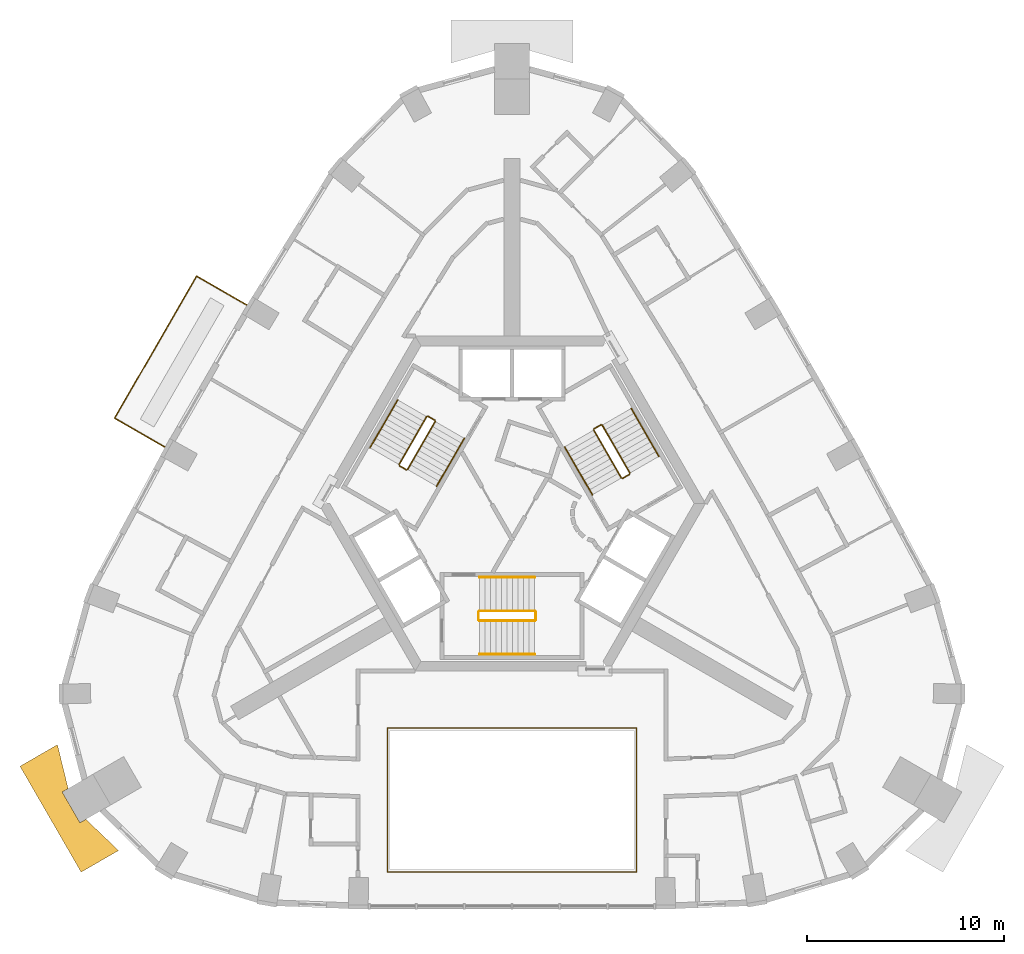
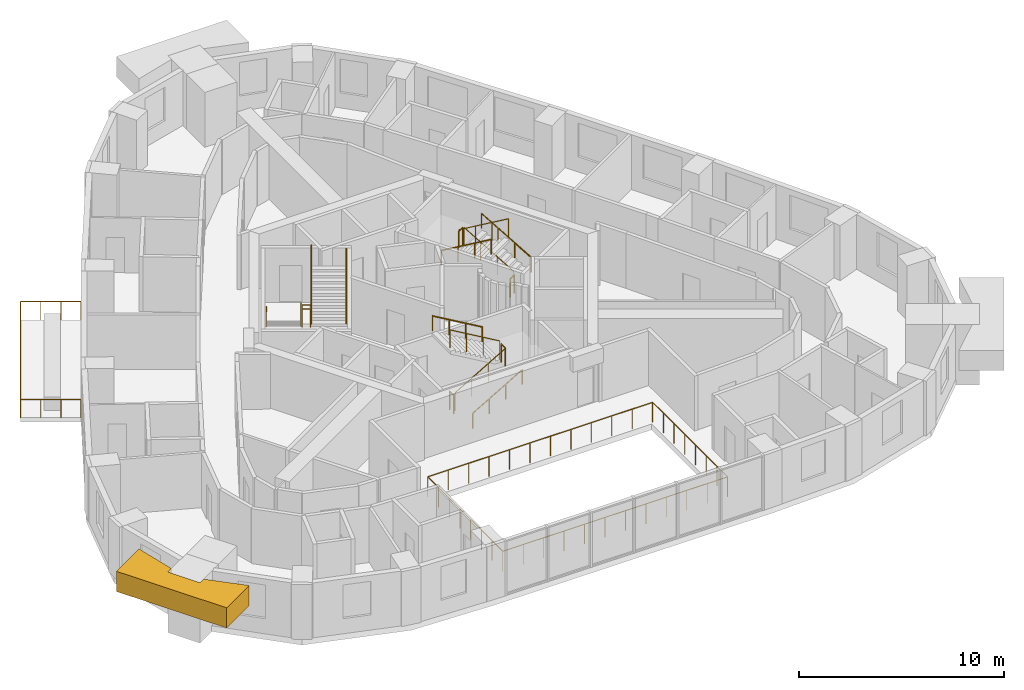
# One storey, part 10 of 11: 20 railings, 1 covering.
"""IFC4 building model written with IfcOpenShell, lengths in metres."""

from ifc_helpers import new_model, si_unit, direction, frame, origin, origin_2d, place, context, subcontext, project, spatial, polyline, circle, outline, extrude, material, type_object, element, save


model = new_model("IFC4")

# Units and contexts
model_context = context("Model", 3, precision=1e-05, world=origin(), true_north=direction((0.0, 1.0)))
body_context = subcontext(model_context, "Body", "Model", "MODEL_VIEW")
ifc_project = project(units=[si_unit("LENGTHUNIT", "METRE"), si_unit("AREAUNIT", "SQUARE_METRE"), si_unit("VOLUMEUNIT", "CUBIC_METRE"), si_unit("PLANEANGLEUNIT", "RADIAN"), si_unit("MASSUNIT", "GRAM", prefix="KILO")], contexts=[model_context])

# Site, building, storey
site_placement = place(None, origin())
site = spatial("IfcSite", under=ifc_project, at=site_placement, CompositionType="ELEMENT")
building_placement = place(site_placement, origin())
building = spatial("IfcBuilding", under=site, at=building_placement, Name="Entoto Arch Interchange Tower", CompositionType="ELEMENT")
storey_placement = place(building_placement, frame((0.0, 0.0, 304.39990234375)))
storey = spatial("IfcBuildingStorey", under=building, at=storey_placement, Name="L71", CompositionType="ELEMENT", Elevation=304.39990234375)

# Railings
ifc_material_1 = material(Name="Stainless steel 1.4301", Category="steel")
railing_type_1 = type_object("IfcRailingType", Name="ATRIUM GUARD 1200 STEEL AND GLASS", PredefinedType="GUARDRAIL", material=ifc_material_1)
railing_1_placement = place(storey_placement, frame((6.320068359375, -16.18408203125, 0.0)))
element("IfcRailing", 1, at=railing_1_placement, inside=storey, type_object=railing_type_1, Name="Atrium guard L71", PredefinedType="GUARDRAIL", context=body_context, shape_type="SweptSolid", body=[
    extrude(circle(Radius=0.02392578125, at=origin_2d()), frame((0.0, 0.0, 1.17578125), z_axis=(-1.0, 0.0, 0.0), x_axis=(0.0, -1.0, 0.0)), (0.0, 0.0, 1.0), 12.64013671875),
    extrude(circle(Radius=0.02392578125, at=origin_2d()), frame((-12.64013671875, 0.0, 1.17578125), z_axis=(0.0, 1.0, 0.0), x_axis=(-1.0, 0.0, 0.0)), (0.0, 0.0, 1.0), 7.30419921875),
    extrude(circle(Radius=0.02392578125, at=origin_2d()), frame((-12.64013671875, 7.30419921875, 1.17578125), z_axis=(1.0, 0.0, 0.0), x_axis=(0.0, 1.0, 0.0)), (0.0, 0.0, 1.0), 12.64013671875),
    extrude(circle(Radius=0.02392578125, at=origin_2d()), frame((0.0, 7.30419921875, 1.17578125), z_axis=(0.0, -1.0, 0.0), x_axis=(1.0, 0.0, 0.0)), (0.0, 0.0, 1.0), 7.30419921875),
    extrude(circle(Radius=0.02099609375, at=origin_2d()), origin(), (0.0, 0.0, 1.0), 1.15185546875),
    extrude(circle(Radius=0.02099609375, at=origin_2d()), frame((-1.149169921875, 0.0, 0.0)), (0.0, 0.0, 1.0), 1.15185546875),
    extrude(circle(Radius=0.02099609375, at=origin_2d()), frame((-2.298095703125, 0.0, 0.0)), (0.0, 0.0, 1.0), 1.15185546875),
    extrude(circle(Radius=0.02099609375, at=origin_2d()), frame((-3.447265625, 0.0, 0.0)), (0.0, 0.0, 1.0), 1.15185546875),
    extrude(circle(Radius=0.02099609375, at=origin_2d()), frame((-4.596435546875, 0.0, 0.0)), (0.0, 0.0, 1.0), 1.15185546875),
    extrude(circle(Radius=0.02099609375, at=origin_2d()), frame((-5.74560546875, 0.0, 0.0)), (0.0, 0.0, 1.0), 1.15185546875),
    extrude(circle(Radius=0.02099609375, at=origin_2d()), frame((-6.89453125, 0.0, 0.0)), (0.0, 0.0, 1.0), 1.15185546875),
    extrude(circle(Radius=0.02099609375, at=origin_2d()), frame((-8.043701171875, 0.0, 0.0)), (0.0, 0.0, 1.0), 1.15185546875),
    extrude(circle(Radius=0.02099609375, at=origin_2d()), frame((-9.19287109375, 0.0, 0.0)), (0.0, 0.0, 1.0), 1.15185546875),
    extrude(circle(Radius=0.02099609375, at=origin_2d()), frame((-10.342041015625, 0.0, 0.0)), (0.0, 0.0, 1.0), 1.15185546875),
    extrude(circle(Radius=0.02099609375, at=origin_2d()), frame((-11.490966796875, 0.0, 0.0)), (0.0, 0.0, 1.0), 1.15185546875),
    extrude(circle(Radius=0.02099609375, at=origin_2d()), frame((-12.64013671875, 0.0, 0.0)), (0.0, 0.0, 1.0), 1.15185546875),
    extrude(circle(Radius=0.02099609375, at=origin_2d()), frame((-12.64013671875, 1.04345703125, 0.0)), (0.0, 0.0, 1.0), 1.15185546875),
    extrude(circle(Radius=0.02099609375, at=origin_2d()), frame((-12.64013671875, 2.0869140625, 0.0)), (0.0, 0.0, 1.0), 1.15185546875),
    extrude(circle(Radius=0.02099609375, at=origin_2d()), frame((-12.64013671875, 3.13037109375, 0.0)), (0.0, 0.0, 1.0), 1.15185546875),
    extrude(circle(Radius=0.02099609375, at=origin_2d()), frame((-12.64013671875, 4.173828125, 0.0)), (0.0, 0.0, 1.0), 1.15185546875),
    extrude(circle(Radius=0.02099609375, at=origin_2d()), frame((-12.64013671875, 5.21728515625, 0.0)), (0.0, 0.0, 1.0), 1.15185546875),
    extrude(circle(Radius=0.02099609375, at=origin_2d()), frame((-12.64013671875, 6.2607421875, 0.0)), (0.0, 0.0, 1.0), 1.15185546875),
    extrude(circle(Radius=0.02099609375, at=origin_2d()), frame((-12.64013671875, 7.30419921875, 0.0)), (0.0, 0.0, 1.0), 1.15185546875),
    extrude(circle(Radius=0.02099609375, at=origin_2d()), frame((-11.490966796875, 7.30419921875, 0.0)), (0.0, 0.0, 1.0), 1.15185546875),
    extrude(circle(Radius=0.02099609375, at=origin_2d()), frame((-10.342041015625, 7.30419921875, 0.0)), (0.0, 0.0, 1.0), 1.15185546875),
    extrude(circle(Radius=0.02099609375, at=origin_2d()), frame((-9.19287109375, 7.30419921875, 0.0)), (0.0, 0.0, 1.0), 1.15185546875),
    extrude(circle(Radius=0.02099609375, at=origin_2d()), frame((-8.043701171875, 7.30419921875, 0.0)), (0.0, 0.0, 1.0), 1.15185546875),
    extrude(circle(Radius=0.02099609375, at=origin_2d()), frame((-6.89453125, 7.30419921875, 0.0)), (0.0, 0.0, 1.0), 1.15185546875),
    extrude(circle(Radius=0.02099609375, at=origin_2d()), frame((-5.74560546875, 7.30419921875, 0.0)), (0.0, 0.0, 1.0), 1.15185546875),
    extrude(circle(Radius=0.02099609375, at=origin_2d()), frame((-4.596435546875, 7.30419921875, 0.0)), (0.0, 0.0, 1.0), 1.15185546875),
    extrude(circle(Radius=0.02099609375, at=origin_2d()), frame((-3.447265625, 7.30419921875, 0.0)), (0.0, 0.0, 1.0), 1.15185546875),
    extrude(circle(Radius=0.02099609375, at=origin_2d()), frame((-2.298095703125, 7.30419921875, 0.0)), (0.0, 0.0, 1.0), 1.15185546875),
    extrude(circle(Radius=0.02099609375, at=origin_2d()), frame((-1.149169921875, 7.30419921875, 0.0)), (0.0, 0.0, 1.0), 1.15185546875),
    extrude(circle(Radius=0.02099609375, at=origin_2d()), frame((0.0, 7.30419921875, 0.0)), (0.0, 0.0, 1.0), 1.15185546875),
    extrude(circle(Radius=0.02099609375, at=origin_2d()), frame((0.0, 6.2607421875, 0.0)), (0.0, 0.0, 1.0), 1.15185546875),
    extrude(circle(Radius=0.02099609375, at=origin_2d()), frame((0.0, 5.21728515625, 0.0)), (0.0, 0.0, 1.0), 1.15185546875),
    extrude(circle(Radius=0.02099609375, at=origin_2d()), frame((0.0, 4.173828125, 0.0)), (0.0, 0.0, 1.0), 1.15185546875),
    extrude(circle(Radius=0.02099609375, at=origin_2d()), frame((0.0, 3.13037109375, 0.0)), (0.0, 0.0, 1.0), 1.15185546875),
    extrude(circle(Radius=0.02099609375, at=origin_2d()), frame((0.0, 2.0869140625, 0.0)), (0.0, 0.0, 1.0), 1.15185546875),
    extrude(circle(Radius=0.02099609375, at=origin_2d()), frame((0.0, 1.04345703125, 0.0)), (0.0, 0.0, 1.0), 1.15185546875),
])
railing_type_2 = type_object("IfcRailingType", Name="GUARD 1100 STEEL AND GLASS", PredefinedType="GUARDRAIL", material=ifc_material_1)
railing_2_placement = place(storey_placement, frame((-13.43798828125, 12.56005859375, 0.0)))
element("IfcRailing", 2, at=railing_2_placement, inside=storey, type_object=railing_type_2, Name="Balcony guard NW-02 L71", PredefinedType="GUARDRAIL", context=body_context, shape_type="SweptSolid", body=[
    extrude(circle(Radius=0.02392578125, at=origin_2d()), frame((0.0, 0.0, 1.076171875), z_axis=(-0.866060182126, 0.499939757307, 0.0), x_axis=(-0.499939757307, -0.866060182126, 0.0)), (0.0, 0.0, 1.0), 2.949951171875),
    extrude(circle(Radius=0.02392578125, at=origin_2d()), frame((-2.554931640625, 1.474853515625, 1.076171875), z_axis=(-0.499994372282, -0.866028652924, 0.0), x_axis=(0.866028652924, -0.499994372282, 0.0)), (0.0, 0.0, 1.0), 8.31591796875),
    extrude(circle(Radius=0.02392578125, at=origin_2d()), frame((-6.712890625, -5.72705078125, 1.076171875), z_axis=(0.866024349092, -0.500001826776, 0.0), x_axis=(0.500001826776, 0.866024349092, 0.0)), (0.0, 0.0, 1.0), 2.9501953125),
    extrude(circle(Radius=0.02099609375, at=origin_2d()), origin(), (0.0, 0.0, 1.0), 1.052001953125),
    extrude(circle(Radius=0.02099609375, at=origin_2d()), frame((-0.8515625, 0.49169921875, 0.0)), (0.0, 0.0, 1.0), 1.052001953125),
    extrude(circle(Radius=0.02099609375, at=origin_2d()), frame((-1.703369140625, 0.983154296875, 0.0)), (0.0, 0.0, 1.0), 1.052001953125),
    extrude(circle(Radius=0.02099609375, at=origin_2d()), frame((-2.554931640625, 1.474853515625, 0.0)), (0.0, 0.0, 1.0), 1.052001953125),
    extrude(circle(Radius=0.02099609375, at=origin_2d()), frame((-3.14892578125, 0.446044921875, 0.0)), (0.0, 0.0, 1.0), 1.052001953125),
    extrude(circle(Radius=0.02099609375, at=origin_2d()), frame((-3.742919921875, -0.582763671875, 0.0)), (0.0, 0.0, 1.0), 1.052001953125),
    extrude(circle(Radius=0.02099609375, at=origin_2d()), frame((-4.3369140625, -1.611572265625, 0.0)), (0.0, 0.0, 1.0), 1.052001953125),
    extrude(circle(Radius=0.02099609375, at=origin_2d()), frame((-4.930908203125, -2.640625, 0.0)), (0.0, 0.0, 1.0), 1.052001953125),
    extrude(circle(Radius=0.02099609375, at=origin_2d()), frame((-5.52490234375, -3.66943359375, 0.0)), (0.0, 0.0, 1.0), 1.052001953125),
    extrude(circle(Radius=0.02099609375, at=origin_2d()), frame((-6.118896484375, -4.6982421875, 0.0)), (0.0, 0.0, 1.0), 1.052001953125),
    extrude(circle(Radius=0.02099609375, at=origin_2d()), frame((-6.712890625, -5.72705078125, 0.0)), (0.0, 0.0, 1.0), 1.052001953125),
    extrude(circle(Radius=0.02099609375, at=origin_2d()), frame((-5.861328125, -6.21875, 0.0)), (0.0, 0.0, 1.0), 1.052001953125),
    extrude(circle(Radius=0.02099609375, at=origin_2d()), frame((-5.009521484375, -6.71044921875, 0.0)), (0.0, 0.0, 1.0), 1.052001953125),
    extrude(circle(Radius=0.02099609375, at=origin_2d()), frame((-4.157958984375, -7.2021484375, 0.0)), (0.0, 0.0, 1.0), 1.052001953125),
])

# Covering
ifc_material_2 = material(Name="Board-marked precast concrete C50/60", Category="concrete")
covering_type = type_object("IfcCoveringType", Name="PRECAST FRAME COURSE", PredefinedType="CLADDING", material=ifc_material_2)
covering_placement = place(storey_placement, frame((0.0, 0.0, 2.06005859375)))
element("IfcCovering", 3, at=covering_placement, inside=storey, type_object=covering_type, Name="Corner pilaster head SW L69-L71", PredefinedType="CLADDING", context=body_context, shape_type="SweptSolid", body=[
    extrude(outline(polyline([(-21.85302734375, -16.196044921875), (-24.952880859375, -10.825927734375), (-23.053955078125, -9.72998046875), (-22.510986328125, -11.95703125), (-22.81298828125, -12.132080078125), (-21.9130859375, -13.68994140625), (-21.612060546875, -13.51611328125), (-19.9541015625, -15.10009765625), (-21.85302734375, -16.196044921875)])), origin(), (0.0, 0.0, 1.0), 1.199951171875),
])

# Railings
railing_type_3 = type_object("IfcRailingType", Name="STAIR GUARD 1100 STEEL", PredefinedType="GUARDRAIL", material=ifc_material_1)
railing_3_placement = place(storey_placement, frame((-1.64990234375, -3.449951171875, 0.163818359375)))
element("IfcRailing", 4, at=railing_3_placement, inside=storey, type_object=railing_type_3, Name="L71 ST-S stair guard 1", PredefinedType="GUARDRAIL", context=body_context, shape_type="SweptSolid", body=[
    extrude(circle(Radius=0.02392578125, at=origin_2d()), frame((0.0, 0.0, 1.076171875), z_axis=(0.863374499697, 0.0, 0.504563646405), x_axis=(0.0, 1.0, 0.0)), (0.0, 0.0, 1.0), 3.242919921875),
    extrude(circle(Radius=0.02099609375, at=origin_2d()), origin(), (0.0, 0.0, 1.0), 1.052001953125),
    extrude(circle(Radius=0.02099609375, at=origin_2d()), frame((0.933349609375, 0.0, 0.54541015625)), (0.0, 0.0, 1.0), 1.052001953125),
    extrude(circle(Radius=0.02099609375, at=origin_2d()), frame((1.866455078125, 0.0, 1.0908203125)), (0.0, 0.0, 1.0), 1.052001953125),
    extrude(circle(Radius=0.02099609375, at=origin_2d()), frame((2.7998046875, 0.0, 1.63623046875)), (0.0, 0.0, 1.0), 1.052001953125),
])
railing_4_placement = place(storey_placement, frame((1.199951171875, -3.39990234375, 1.800048828125)))
element("IfcRailing", 5, at=railing_4_placement, inside=storey, type_object=railing_type_3, Name="L71 ST-S stair guard 2", PredefinedType="GUARDRAIL", context=body_context, shape_type="SweptSolid", body=[
    extrude(circle(Radius=0.02392578125, at=origin_2d()), frame((0.0, 0.0, 1.076171875), z_axis=(0.0, 1.0, 0.0), x_axis=(-1.0, 0.0, 0.0)), (0.0, 0.0, 1.0), 0.39990234375),
    extrude(circle(Radius=0.02099609375, at=origin_2d()), origin(), (0.0, 0.0, 1.0), 1.052001953125),
    extrude(circle(Radius=0.02099609375, at=origin_2d()), frame((0.0, 0.39990234375, 0.0)), (0.0, 0.0, 1.0), 1.052001953125),
])
railing_5_placement = place(storey_placement, frame((1.14990234375, -2.949951171875, 1.963623046875)))
element("IfcRailing", 6, at=railing_5_placement, inside=storey, type_object=railing_type_3, Name="L71 ST-S stair guard 3", PredefinedType="GUARDRAIL", context=body_context, shape_type="SweptSolid", body=[
    extrude(circle(Radius=0.02392578125, at=origin_2d()), frame((0.0, 0.0, 1.076171875), z_axis=(-0.863341702679, 0.0, 0.504619762213), x_axis=(0.0, -1.0, 0.0)), (0.0, 0.0, 1.0), 3.242919921875),
    extrude(circle(Radius=0.02099609375, at=origin_2d()), origin(), (0.0, 0.0, 1.0), 1.052001953125),
    extrude(circle(Radius=0.02099609375, at=origin_2d()), frame((-0.933349609375, 0.0, 0.54541015625)), (0.0, 0.0, 1.0), 1.052001953125),
    extrude(circle(Radius=0.02099609375, at=origin_2d()), frame((-1.866455078125, 0.0, 1.091064453125)), (0.0, 0.0, 1.0), 1.052001953125),
    extrude(circle(Radius=0.02099609375, at=origin_2d()), frame((-2.7998046875, 0.0, 1.636474609375)), (0.0, 0.0, 1.0), 1.052001953125),
])
railing_6_placement = place(storey_placement, frame((-1.699951171875, -3.39990234375, 0.0)))
element("IfcRailing", 7, at=railing_6_placement, inside=storey, type_object=railing_type_3, Name="L71 ST-S stair guard 4", PredefinedType="GUARDRAIL", context=body_context, shape_type="SweptSolid", body=[
    extrude(circle(Radius=0.02392578125, at=origin_2d()), frame((0.0, 0.0, 1.076171875), z_axis=(0.0, 1.0, 0.0), x_axis=(-1.0, 0.0, 0.0)), (0.0, 0.0, 1.0), 0.39990234375),
    extrude(circle(Radius=0.02099609375, at=origin_2d()), origin(), (0.0, 0.0, 1.0), 1.052001953125),
    extrude(circle(Radius=0.02099609375, at=origin_2d()), frame((0.0, 0.39990234375, 0.0)), (0.0, 0.0, 1.0), 1.052001953125),
])
railing_7_placement = place(storey_placement, frame((5.977783203125, 4.046142578125, 0.163818359375)))
element("IfcRailing", 8, at=railing_7_placement, inside=storey, type_object=railing_type_3, Name="L71 ST-NE stair guard 1", PredefinedType="GUARDRAIL", context=body_context, shape_type="SweptSolid", body=[
    extrude(circle(Radius=0.02392578125, at=origin_2d()), frame((0.0, 0.0, 1.076171875), z_axis=(-0.431677027627, 0.74771821388, 0.504551698492), x_axis=(-0.866034573852, -0.49998411664, 0.0)), (0.0, 0.0, 1.0), 3.242919921875),
    extrude(circle(Radius=0.02099609375, at=origin_2d()), origin(), (0.0, 0.0, 1.0), 1.052001953125),
    extrude(circle(Radius=0.02099609375, at=origin_2d()), frame((-0.466552734375, 0.808349609375, 0.54541015625)), (0.0, 0.0, 1.0), 1.052001953125),
    extrude(circle(Radius=0.02099609375, at=origin_2d()), frame((-0.933349609375, 1.616455078125, 1.0908203125)), (0.0, 0.0, 1.0), 1.052001953125),
    extrude(circle(Radius=0.02099609375, at=origin_2d()), frame((-1.39990234375, 2.4248046875, 1.63623046875)), (0.0, 0.0, 1.0), 1.052001953125),
])
railing_8_placement = place(storey_placement, frame((4.509521484375, 6.4892578125, 1.800048828125)))
element("IfcRailing", 9, at=railing_8_placement, inside=storey, type_object=railing_type_3, Name="L71 ST-NE stair guard 2", PredefinedType="GUARDRAIL", context=body_context, shape_type="SweptSolid", body=[
    extrude(circle(Radius=0.02392578125, at=origin_2d()), frame((0.0, 0.0, 1.076171875), z_axis=(-0.866094119867, -0.499880961361, 0.0), x_axis=(0.499880961361, -0.866094119867, 0.0)), (0.0, 0.0, 1.0), 0.39990234375),
    extrude(circle(Radius=0.02099609375, at=origin_2d()), origin(), (0.0, 0.0, 1.0), 1.052001953125),
    extrude(circle(Radius=0.02099609375, at=origin_2d()), frame((-0.346435546875, -0.199951171875, 0.0)), (0.0, 0.0, 1.0), 1.052001953125),
])
railing_9_placement = place(storey_placement, frame((4.144775390625, 6.220947265625, 1.963623046875)))
element("IfcRailing", 10, at=railing_9_placement, inside=storey, type_object=railing_type_3, Name="L71 ST-NE stair guard 3", PredefinedType="GUARDRAIL", context=body_context, shape_type="SweptSolid", body=[
    extrude(circle(Radius=0.02392578125, at=origin_2d()), frame((0.0, 0.0, 1.076171875), z_axis=(0.431721881032, -0.747665513933, 0.504591415616), x_axis=(0.865996816683, 0.500049511043, 0.0)), (0.0, 0.0, 1.0), 3.2431640625),
    extrude(circle(Radius=0.02099609375, at=origin_2d()), origin(), (0.0, 0.0, 1.0), 1.052001953125),
    extrude(circle(Radius=0.02099609375, at=origin_2d()), frame((0.466796875, -0.808349609375, 0.54541015625)), (0.0, 0.0, 1.0), 1.052001953125),
    extrude(circle(Radius=0.02099609375, at=origin_2d()), frame((0.933349609375, -1.616455078125, 1.091064453125)), (0.0, 0.0, 1.0), 1.052001953125),
    extrude(circle(Radius=0.02099609375, at=origin_2d()), frame((1.400146484375, -2.4248046875, 1.636474609375)), (0.0, 0.0, 1.0), 1.052001953125),
])
railing_10_placement = place(storey_placement, frame((5.95947265625, 3.977783203125, 0.0)))
element("IfcRailing", 11, at=railing_10_placement, inside=storey, type_object=railing_type_3, Name="L71 ST-NE stair guard 4", PredefinedType="GUARDRAIL", context=body_context, shape_type="SweptSolid", body=[
    extrude(circle(Radius=0.02392578125, at=origin_2d()), frame((0.0, 0.0, 1.076171875), z_axis=(-0.866094119867, -0.499880961361, 0.0), x_axis=(0.499880961361, -0.866094119867, 0.0)), (0.0, 0.0, 1.0), 0.39990234375),
    extrude(circle(Radius=0.02099609375, at=origin_2d()), origin(), (0.0, 0.0, 1.0), 1.052001953125),
    extrude(circle(Radius=0.02099609375, at=origin_2d()), frame((-0.346435546875, -0.199951171875, 0.0)), (0.0, 0.0, 1.0), 1.052001953125),
])
railing_11_placement = place(storey_placement, frame((-4.327880859375, 6.904052734375, 0.163818359375)))
element("IfcRailing", 12, at=railing_11_placement, inside=storey, type_object=railing_type_3, Name="L71 ST-NW stair guard 1", PredefinedType="GUARDRAIL", context=body_context, shape_type="SweptSolid", body=[
    extrude(circle(Radius=0.02392578125, at=origin_2d()), frame((0.0, 0.0, 1.076171875), z_axis=(-0.43165272891, -0.747751404999, 0.504523297725), x_axis=(0.866056369097, -0.49994636267, 0.0)), (0.0, 0.0, 1.0), 3.2431640625),
    extrude(circle(Radius=0.02099609375, at=origin_2d()), origin(), (0.0, 0.0, 1.0), 1.052001953125),
    extrude(circle(Radius=0.02099609375, at=origin_2d()), frame((-0.466552734375, -0.808349609375, 0.54541015625)), (0.0, 0.0, 1.0), 1.052001953125),
    extrude(circle(Radius=0.02099609375, at=origin_2d()), frame((-0.933349609375, -1.61669921875, 1.0908203125)), (0.0, 0.0, 1.0), 1.052001953125),
    extrude(circle(Radius=0.02099609375, at=origin_2d()), frame((-1.39990234375, -2.425048828125, 1.63623046875)), (0.0, 0.0, 1.0), 1.052001953125),
])
railing_12_placement = place(storey_placement, frame((-5.70947265625, 4.410888671875, 1.800048828125)))
element("IfcRailing", 13, at=railing_12_placement, inside=storey, type_object=railing_type_3, Name="L71 ST-NW stair guard 2", PredefinedType="GUARDRAIL", context=body_context, shape_type="SweptSolid", body=[
    extrude(circle(Radius=0.02392578125, at=origin_2d()), frame((0.0, 0.0, 1.076171875), z_axis=(0.865829829939, -0.500338590944, 0.0), x_axis=(0.500338590944, 0.865829829939, 0.0)), (0.0, 0.0, 1.0), 0.400146484375),
    extrude(circle(Radius=0.02099609375, at=origin_2d()), origin(), (0.0, 0.0, 1.0), 1.052001953125),
    extrude(circle(Radius=0.02099609375, at=origin_2d()), frame((0.346435546875, -0.2001953125, 0.0)), (0.0, 0.0, 1.0), 1.052001953125),
])
railing_13_placement = place(storey_placement, frame((-5.294921875, 4.22900390625, 1.963623046875)))
element("IfcRailing", 14, at=railing_13_placement, inside=storey, type_object=railing_type_3, Name="L71 ST-NW stair guard 3", PredefinedType="GUARDRAIL", context=body_context, shape_type="SweptSolid", body=[
    extrude(circle(Radius=0.02392578125, at=origin_2d()), frame((0.0, 0.0, 1.076171875), z_axis=(0.431697583215, 0.747698708645, 0.504563016616), x_axis=(-0.866018616679, 0.500011755427, 0.0)), (0.0, 0.0, 1.0), 3.243408203125),
    extrude(circle(Radius=0.02099609375, at=origin_2d()), origin(), (0.0, 0.0, 1.0), 1.052001953125),
    extrude(circle(Radius=0.02099609375, at=origin_2d()), frame((0.466796875, 0.808349609375, 0.54541015625)), (0.0, 0.0, 1.0), 1.052001953125),
    extrude(circle(Radius=0.02099609375, at=origin_2d()), frame((0.933349609375, 1.61669921875, 1.091064453125)), (0.0, 0.0, 1.0), 1.052001953125),
    extrude(circle(Radius=0.02099609375, at=origin_2d()), frame((1.400146484375, 2.425048828125, 1.636474609375)), (0.0, 0.0, 1.0), 1.052001953125),
])
railing_14_placement = place(storey_placement, frame((-4.259521484375, 6.92236328125, 0.0)))
element("IfcRailing", 15, at=railing_14_placement, inside=storey, type_object=railing_type_3, Name="L71 ST-NW stair guard 4", PredefinedType="GUARDRAIL", context=body_context, shape_type="SweptSolid", body=[
    extrude(circle(Radius=0.02392578125, at=origin_2d()), frame((0.0, 0.0, 1.076171875), z_axis=(0.865829829939, -0.500338590944, 0.0), x_axis=(0.500338590944, 0.865829829939, 0.0)), (0.0, 0.0, 1.0), 0.400146484375),
    extrude(circle(Radius=0.02099609375, at=origin_2d()), origin(), (0.0, 0.0, 1.0), 1.052001953125),
    extrude(circle(Radius=0.02099609375, at=origin_2d()), frame((0.346435546875, -0.2001953125, 0.0)), (0.0, 0.0, 1.0), 1.052001953125),
])
railing_type_4 = type_object("IfcRailingType", Name="STAIR HANDRAIL 900 STEEL", PredefinedType="HANDRAIL", material=ifc_material_1)
railing_15_placement = place(storey_placement, frame((-1.64990234375, -5.14990234375, 0.163818359375)))
element("IfcRailing", 16, at=railing_15_placement, inside=storey, type_object=railing_type_4, Name="L71 ST-S stair handrail 1", PredefinedType="HANDRAIL", context=body_context, shape_type="SweptSolid", body=[
    extrude(circle(Radius=0.02392578125, at=origin_2d()), frame((0.0, 0.0, 0.8759765625), z_axis=(0.863374499697, 0.0, 0.504563646405), x_axis=(0.0, 1.0, 0.0)), (0.0, 0.0, 1.0), 3.242919921875),
    extrude(circle(Radius=0.02099609375, at=origin_2d()), origin(), (0.0, 0.0, 1.0), 0.851806640625),
    extrude(circle(Radius=0.02099609375, at=origin_2d()), frame((0.933349609375, 0.0, 0.54541015625)), (0.0, 0.0, 1.0), 0.851806640625),
    extrude(circle(Radius=0.02099609375, at=origin_2d()), frame((1.866455078125, 0.0, 1.0908203125)), (0.0, 0.0, 1.0), 0.851806640625),
    extrude(circle(Radius=0.02099609375, at=origin_2d()), frame((2.7998046875, 0.0, 1.63623046875)), (0.0, 0.0, 1.0), 0.851806640625),
])
railing_16_placement = place(storey_placement, frame((1.14990234375, -1.25, 1.963623046875)))
element("IfcRailing", 17, at=railing_16_placement, inside=storey, type_object=railing_type_4, Name="L71 ST-S stair handrail 2", PredefinedType="HANDRAIL", context=body_context, shape_type="SweptSolid", body=[
    extrude(circle(Radius=0.02392578125, at=origin_2d()), frame((0.0, 0.0, 0.8759765625), z_axis=(-0.863341702679, 0.0, 0.504619762213), x_axis=(0.0, -1.0, 0.0)), (0.0, 0.0, 1.0), 3.242919921875),
    extrude(circle(Radius=0.02099609375, at=origin_2d()), origin(), (0.0, 0.0, 1.0), 0.851806640625),
    extrude(circle(Radius=0.02099609375, at=origin_2d()), frame((-0.933349609375, 0.0, 0.54541015625)), (0.0, 0.0, 1.0), 0.851806640625),
    extrude(circle(Radius=0.02099609375, at=origin_2d()), frame((-1.866455078125, 0.0, 1.091064453125)), (0.0, 0.0, 1.0), 0.851806640625),
    extrude(circle(Radius=0.02099609375, at=origin_2d()), frame((-2.7998046875, 0.0, 1.636474609375)), (0.0, 0.0, 1.0), 0.851806640625),
])
railing_17_placement = place(storey_placement, frame((7.4501953125, 4.89599609375, 0.163818359375)))
element("IfcRailing", 18, at=railing_17_placement, inside=storey, type_object=railing_type_4, Name="L71 ST-NE stair handrail 1", PredefinedType="HANDRAIL", context=body_context, shape_type="SweptSolid", body=[
    extrude(circle(Radius=0.02392578125, at=origin_2d()), frame((0.0, 0.0, 0.8759765625), z_axis=(-0.431713979052, 0.747727106176, 0.504506902808), x_axis=(-0.866018616679, -0.500011755427, 0.0)), (0.0, 0.0, 1.0), 3.2431640625),
    extrude(circle(Radius=0.02099609375, at=origin_2d()), origin(), (0.0, 0.0, 1.0), 0.851806640625),
    extrude(circle(Radius=0.02099609375, at=origin_2d()), frame((-0.466796875, 0.808349609375, 0.54541015625)), (0.0, 0.0, 1.0), 0.851806640625),
    extrude(circle(Radius=0.02099609375, at=origin_2d()), frame((-0.933349609375, 1.61669921875, 1.0908203125)), (0.0, 0.0, 1.0), 0.851806640625),
    extrude(circle(Radius=0.02099609375, at=origin_2d()), frame((-1.400146484375, 2.425048828125, 1.63623046875)), (0.0, 0.0, 1.0), 0.851806640625),
])
railing_18_placement = place(storey_placement, frame((2.672607421875, 5.370849609375, 1.963623046875)))
element("IfcRailing", 19, at=railing_18_placement, inside=storey, type_object=railing_type_4, Name="L71 ST-NE stair handrail 2", PredefinedType="HANDRAIL", context=body_context, shape_type="SweptSolid", body=[
    extrude(circle(Radius=0.02392578125, at=origin_2d()), frame((0.0, 0.0, 0.8759765625), z_axis=(0.431660630283, -0.747689811644, 0.504607813879), x_axis=(0.866034573852, 0.49998411664, 0.0)), (0.0, 0.0, 1.0), 3.2431640625),
    extrude(circle(Radius=0.02099609375, at=origin_2d()), origin(), (0.0, 0.0, 1.0), 0.851806640625),
    extrude(circle(Radius=0.02099609375, at=origin_2d()), frame((0.466552734375, -0.808349609375, 0.54541015625)), (0.0, 0.0, 1.0), 0.851806640625),
    extrude(circle(Radius=0.02099609375, at=origin_2d()), frame((0.933349609375, -1.616455078125, 1.091064453125)), (0.0, 0.0, 1.0), 0.851806640625),
    extrude(circle(Radius=0.02099609375, at=origin_2d()), frame((1.39990234375, -2.4248046875, 1.636474609375)), (0.0, 0.0, 1.0), 0.851806640625),
])
railing_19_placement = place(storey_placement, frame((-5.800048828125, 7.75390625, 0.163818359375)))
element("IfcRailing", 20, at=railing_19_placement, inside=storey, type_object=railing_type_4, Name="L71 ST-NW stair handrail 1", PredefinedType="HANDRAIL", context=body_context, shape_type="SweptSolid", body=[
    extrude(circle(Radius=0.02392578125, at=origin_2d()), frame((0.0, 0.0, 0.8759765625), z_axis=(-0.431738279637, -0.747693913401, 0.504535300807), x_axis=(0.865996816683, -0.500049511043, 0.0)), (0.0, 0.0, 1.0), 3.2431640625),
    extrude(circle(Radius=0.02099609375, at=origin_2d()), origin(), (0.0, 0.0, 1.0), 0.851806640625),
    extrude(circle(Radius=0.02099609375, at=origin_2d()), frame((-0.466796875, -0.808349609375, 0.54541015625)), (0.0, 0.0, 1.0), 0.851806640625),
    extrude(circle(Radius=0.02099609375, at=origin_2d()), frame((-0.933349609375, -1.616455078125, 1.0908203125)), (0.0, 0.0, 1.0), 0.851806640625),
    extrude(circle(Radius=0.02099609375, at=origin_2d()), frame((-1.400146484375, -2.4248046875, 1.63623046875)), (0.0, 0.0, 1.0), 0.851806640625),
])
railing_20_placement = place(storey_placement, frame((-3.822509765625, 3.379150390625, 1.963623046875)))
element("IfcRailing", 21, at=railing_20_placement, inside=storey, type_object=railing_type_4, Name="L71 ST-NW stair handrail 2", PredefinedType="HANDRAIL", context=body_context, shape_type="SweptSolid", body=[
    extrude(circle(Radius=0.02392578125, at=origin_2d()), frame((0.0, 0.0, 0.8759765625), z_axis=(0.431660630283, 0.747689811644, 0.504607813879), x_axis=(-0.866034573852, 0.49998411664, 0.0)), (0.0, 0.0, 1.0), 3.2431640625),
    extrude(circle(Radius=0.02099609375, at=origin_2d()), origin(), (0.0, 0.0, 1.0), 0.851806640625),
    extrude(circle(Radius=0.02099609375, at=origin_2d()), frame((0.466552734375, 0.808349609375, 0.54541015625)), (0.0, 0.0, 1.0), 0.851806640625),
    extrude(circle(Radius=0.02099609375, at=origin_2d()), frame((0.933349609375, 1.616455078125, 1.091064453125)), (0.0, 0.0, 1.0), 0.851806640625),
    extrude(circle(Radius=0.02099609375, at=origin_2d()), frame((1.39990234375, 2.4248046875, 1.636474609375)), (0.0, 0.0, 1.0), 0.851806640625),
])

save(model, "model.ifc")
